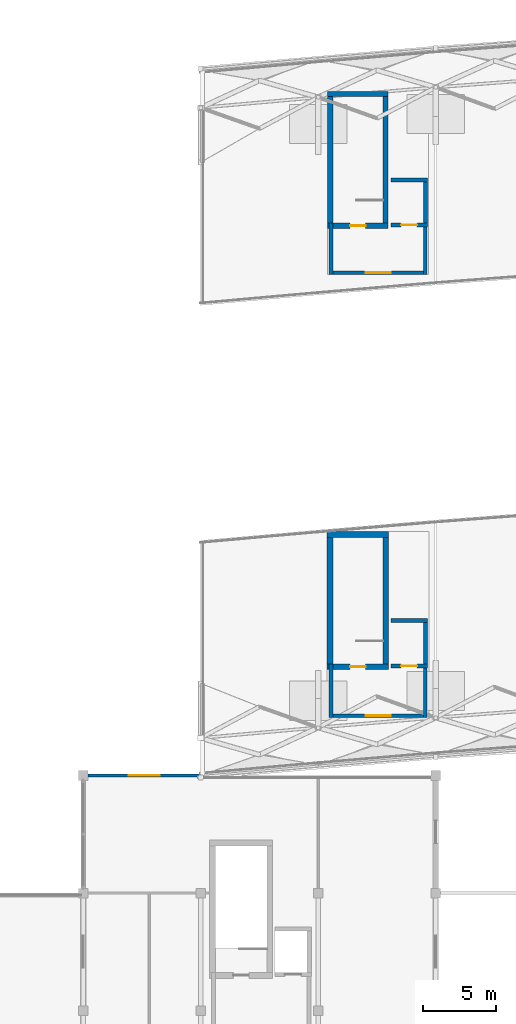
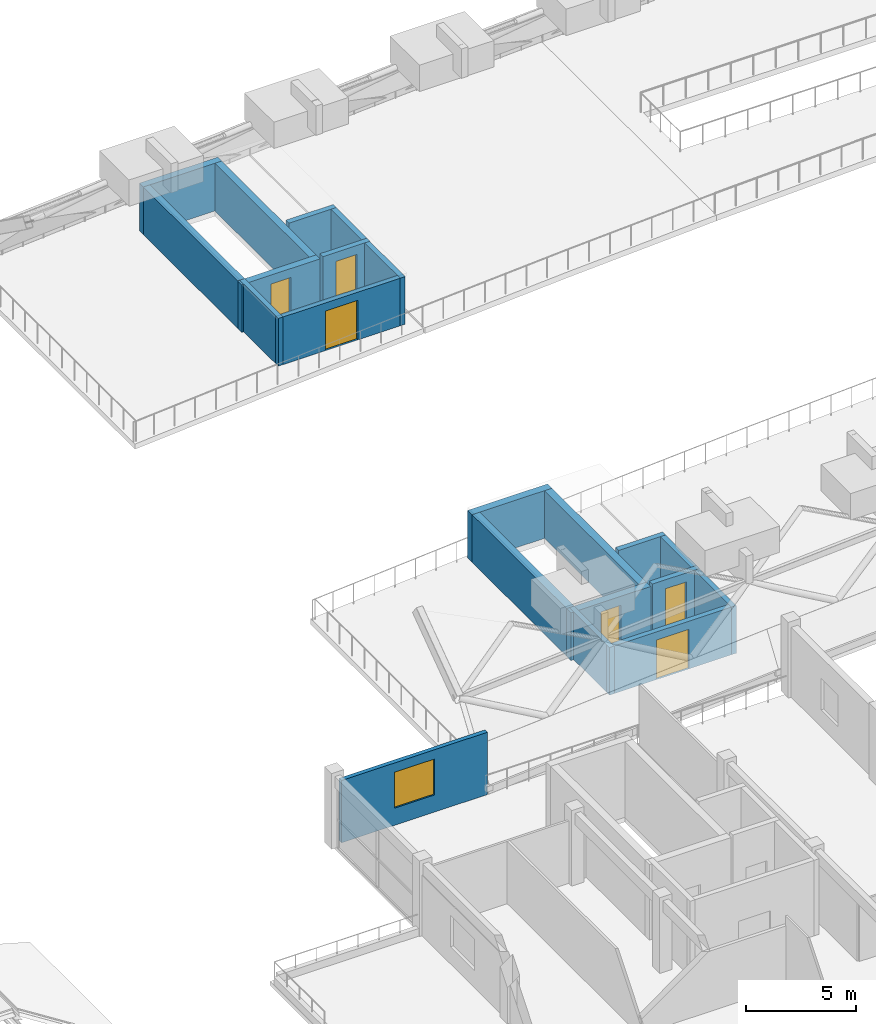
# One storey, part 45 of 67: 21 walls, 6 doors, 1 window, 7 openings.
"""IFC4 building model written with IfcOpenShell, lengths in metres."""

from ifc_helpers import new_model, si_unit, direction, frame, frame_2d, origin, place, context, subcontext, project, spatial, rectangle, extrude, material, layer, layer_set, type_object, element, fill, save


model = new_model("IFC4")

# Units and contexts
model_context = context("Model", 3, precision=1e-05, world=origin(), true_north=direction((0.0, 1.0)))
body_context = subcontext(model_context, "Body", "Model", "MODEL_VIEW")
ifc_project = project(units=[si_unit("LENGTHUNIT", "METRE"), si_unit("AREAUNIT", "SQUARE_METRE"), si_unit("VOLUMEUNIT", "CUBIC_METRE"), si_unit("PLANEANGLEUNIT", "RADIAN"), si_unit("MASSUNIT", "GRAM", prefix="KILO")], contexts=[model_context])

# Site, building, storey
site_placement = place(None, origin())
site = spatial("IfcSite", under=ifc_project, at=site_placement, CompositionType="ELEMENT")
building_placement = place(site_placement, origin())
building = spatial("IfcBuilding", under=site, at=building_placement, Name="Kenh Van Central Station", CompositionType="ELEMENT")
storey_placement = place(building_placement, frame((0.0, 0.0, 10.800048828125)))
storey = spatial("IfcBuildingStorey", under=building, at=storey_placement, Name="L02", CompositionType="ELEMENT", Elevation=10.800048828125)

# Wall, opening, door
ifc_material_1 = material(Name="Concrete C40/50", Category="concrete")
ifc_layer_1 = layer(ifc_material_1, 0.280029296875, Name="Concrete C40/50")
ifc_layer_set_1 = layer_set([ifc_layer_1], Name="Concrete C40/50")
wall_type_1 = type_object("IfcWallType", Name="WL-CORE-280", PredefinedType="SHEAR", material=ifc_layer_set_1)
wall_1_placement = place(storey_placement, frame((44.949951171875, 71.4599609375, 0.0), z_axis=(0.0, 0.0, 1.0), x_axis=(1.0, 0.0, 0.0)))
wall_1 = element("IfcWall", 1, at=wall_1_placement, inside=storey, type_object=wall_type_1, Name="L02 LIFT-PL1 shaft wall S", PredefinedType="SHEAR", context=body_context, shape_type="SweptSolid", body=[
    extrude(rectangle(XDim=2.47998046875, YDim=0.280029296875, at=frame_2d((1.239990234375, 0.0))), origin(), (0.0, 0.0, 1.0), 2.64990234375),
])
opening_1_placement = place(wall_1_placement, frame((0.68994140625, 0.0, 0.0)))
opening_1 = element("IfcOpeningElement", 2, at=opening_1_placement, cuts=wall_1, Name="Opening LD-P1", PredefinedType="OPENING", context=body_context, shape_type="SweptSolid", body=[
    extrude(rectangle(XDim=1.10009765625, YDim=2.14990234375, at=frame_2d((0.550048828125, 1.074951171875))), frame((0.0, 0.14990234375, 0.0), z_axis=(0.0, -1.0, 0.0), x_axis=(1.0, 0.0, 0.0)), (0.0, 0.0, 1.0), 0.300048828125),
])
ifc_material_2 = material(Name="Champagne anodised aluminium", Category="aluminium")
door_type_1 = type_object("IfcDoorType", Name="DR-LIFT-1100x2150", OperationType="SLIDING_TO_LEFT", PredefinedType="DOOR", material=ifc_material_2)
door_1_placement = place(opening_1_placement, origin())
door_1 = element("IfcDoor", 3, at=door_1_placement, inside=storey, type_object=door_type_1, Name="L02 LIFT-PL1 sliding landing door", OperationType="SLIDING_TO_LEFT", OverallHeight=2.14990234375, OverallWidth=1.10009765625, PredefinedType="DOOR", context=body_context, shape_type="SweptSolid", body=[
    extrude(rectangle(XDim=1.10009765625, YDim=2.14990234375, at=frame_2d((0.550048828125, 1.074951171875))), frame((0.0, 0.02490234375, 0.0), z_axis=(0.0, -1.0, 0.0), x_axis=(1.0, 0.0, 0.0)), (0.0, 0.0, 1.0), 0.050048828125),
])
fill(opening_1, door_1)

# Walls
wall_2_placement = place(storey_placement, frame((44.949951171875, 74.5400390625, 0.0), z_axis=(0.0, 0.0, 1.0), x_axis=(1.0, 0.0, 0.0)))
element("IfcWall", 4, at=wall_2_placement, inside=storey, type_object=wall_type_1, Name="L02 LIFT-PL1 shaft wall N", PredefinedType="SHEAR", context=body_context, shape_type="SweptSolid", body=[
    extrude(rectangle(XDim=2.47998046875, YDim=0.280029296875, at=frame_2d((1.239990234375, 0.0))), origin(), (0.0, 0.0, 1.0), 2.64990234375),
])
wall_3_placement = place(storey_placement, frame((47.2900390625, 71.60009765625, 0.0), z_axis=(0.0, 0.0, 1.0), x_axis=(0.0, 1.0, 0.0)))
element("IfcWall", 5, at=wall_3_placement, inside=storey, type_object=wall_type_1, Name="L02 LIFT-PL1 shaft wall E", PredefinedType="SHEAR", context=body_context, shape_type="SweptSolid", body=[
    extrude(rectangle(XDim=2.7998046875, YDim=0.280029296875, at=frame_2d((1.39990234375, 0.0))), origin(), (0.0, 0.0, 1.0), 2.64990234375),
])

# Wall, opening, door
wall_4_placement = place(storey_placement, frame((44.949951171875, 101.4599609375, 0.0), z_axis=(0.0, 0.0, 1.0), x_axis=(1.0, 0.0, 0.0)))
wall_4 = element("IfcWall", 6, at=wall_4_placement, inside=storey, type_object=wall_type_1, Name="L02 LIFT-PL2 shaft wall S", PredefinedType="SHEAR", context=body_context, shape_type="SweptSolid", body=[
    extrude(rectangle(XDim=2.47998046875, YDim=0.280029296875, at=frame_2d((1.239990234375, 0.0))), origin(), (0.0, 0.0, 1.0), 2.64990234375),
])
opening_2_placement = place(wall_4_placement, frame((0.68994140625, 0.0, 0.0)))
opening_2 = element("IfcOpeningElement", 7, at=opening_2_placement, cuts=wall_4, Name="Opening LD-P1", PredefinedType="OPENING", context=body_context, shape_type="SweptSolid", body=[
    extrude(rectangle(XDim=1.10009765625, YDim=2.14990234375, at=frame_2d((0.550048828125, 1.074951171875))), frame((0.0, 0.14990234375, 0.0), z_axis=(0.0, -1.0, 0.0), x_axis=(1.0, 0.0, 0.0)), (0.0, 0.0, 1.0), 0.300048828125),
])
door_2_placement = place(opening_2_placement, origin())
door_2 = element("IfcDoor", 8, at=door_2_placement, inside=storey, type_object=door_type_1, Name="L02 LIFT-PL2 sliding landing door", OperationType="SLIDING_TO_LEFT", OverallHeight=2.14990234375, OverallWidth=1.10009765625, PredefinedType="DOOR", context=body_context, shape_type="SweptSolid", body=[
    extrude(rectangle(XDim=1.10009765625, YDim=2.14990234375, at=frame_2d((0.550048828125, 1.074951171875))), frame((0.0, 0.02490234375, 0.0), z_axis=(0.0, -1.0, 0.0), x_axis=(1.0, 0.0, 0.0)), (0.0, 0.0, 1.0), 0.050048828125),
])
fill(opening_2, door_2)

# Walls
wall_5_placement = place(storey_placement, frame((44.949951171875, 104.5400390625, 0.0), z_axis=(0.0, 0.0, 1.0), x_axis=(1.0, 0.0, 0.0)))
element("IfcWall", 9, at=wall_5_placement, inside=storey, type_object=wall_type_1, Name="L02 LIFT-PL2 shaft wall N", PredefinedType="SHEAR", context=body_context, shape_type="SweptSolid", body=[
    extrude(rectangle(XDim=2.47998046875, YDim=0.280029296875, at=frame_2d((1.239990234375, 0.0))), origin(), (0.0, 0.0, 1.0), 2.64990234375),
])
wall_6_placement = place(storey_placement, frame((47.2900390625, 101.60009765625, 0.0), z_axis=(0.0, 0.0, 1.0), x_axis=(0.0, 1.0, 0.0)))
element("IfcWall", 10, at=wall_6_placement, inside=storey, type_object=wall_type_1, Name="L02 LIFT-PL2 shaft wall E", PredefinedType="SHEAR", context=body_context, shape_type="SweptSolid", body=[
    extrude(rectangle(XDim=2.7998046875, YDim=0.280029296875, at=frame_2d((1.39990234375, 0.0))), origin(), (0.0, 0.0, 1.0), 2.64990234375),
])

# Wall, opening, door
ifc_layer_2 = layer(ifc_material_1, 0.360107421875, Name="Concrete C40/50")
ifc_layer_set_2 = layer_set([ifc_layer_2], Name="Concrete C40/50")
wall_type_2 = type_object("IfcWallType", Name="WL-CORE-360", PredefinedType="SHEAR", material=ifc_layer_set_2)
wall_7_placement = place(storey_placement, frame((40.639892578125, 101.419921875, 0.0), z_axis=(0.0, 0.0, 1.0), x_axis=(1.0, 0.0, 0.0)))
wall_7 = element("IfcWall", 11, at=wall_7_placement, inside=storey, type_object=wall_type_2, Name="L02 CORE-07 stair wall S", PredefinedType="SHEAR", context=body_context, shape_type="SweptSolid", body=[
    extrude(rectangle(XDim=4.1201171875, YDim=0.360107421875, at=frame_2d((2.06005859375, 0.0))), origin(), (0.0, 0.0, 1.0), 2.64990234375),
])
opening_3_placement = place(wall_7_placement, frame((1.534912109375, 0.0, 0.0)))
opening_3 = element("IfcOpeningElement", 12, at=opening_3_placement, cuts=wall_7, Name="Opening D-FD60", PredefinedType="OPENING", context=body_context, shape_type="SweptSolid", body=[
    extrude(rectangle(XDim=1.050048828125, YDim=2.14990234375, at=frame_2d((0.52490234375, 1.074951171875))), frame((0.0, 0.18994140625, 0.0), z_axis=(0.0, -1.0, 0.0), x_axis=(1.0, 0.0, 0.0)), (0.0, 0.0, 1.0), 0.380126953125),
])
door_type_2 = type_object("IfcDoorType", Name="DR-FIRE-1050x2150", OperationType="NOTDEFINED", PredefinedType="DOOR", material=ifc_material_2)
door_3_placement = place(opening_3_placement, origin())
door_3 = element("IfcDoor", 13, at=door_3_placement, inside=storey, type_object=door_type_2, Name="L02 ST-07 stair door", OperationType="SINGLE_SWING_LEFT", OverallHeight=2.14990234375, OverallWidth=1.050048828125, PredefinedType="DOOR", context=body_context, shape_type="SweptSolid", body=[
    extrude(rectangle(XDim=1.050048828125, YDim=2.14990234375, at=frame_2d((0.52490234375, 1.074951171875))), frame((0.0, 0.02490234375, 0.0), z_axis=(0.0, -1.0, 0.0), x_axis=(1.0, 0.0, 0.0)), (0.0, 0.0, 1.0), 0.050048828125),
])
fill(opening_3, door_3)

# Walls
wall_8_placement = place(storey_placement, frame((40.639892578125, 110.3798828125, 0.0), z_axis=(0.0, 0.0, 1.0), x_axis=(1.0, 0.0, 0.0)))
element("IfcWall", 14, at=wall_8_placement, inside=storey, type_object=wall_type_2, Name="L02 CORE-07 stair wall N", PredefinedType="SHEAR", context=body_context, shape_type="SweptSolid", body=[
    extrude(rectangle(XDim=4.1201171875, YDim=0.360107421875, at=frame_2d((2.06005859375, 0.0))), origin(), (0.0, 0.0, 1.0), 2.64990234375),
])
for number, where, z_axis, x_axis, name in (
    (15, (40.820068359375, 101.60009765625, 0.0), (0.0, 0.0, 1.0), (0.0, 1.0, 0.0), "L02 CORE-07 stair wall W"),
    (16, (44.580078125, 101.60009765625, 0.0), (0.0, 0.0, 1.0), (0.0, 1.0, 0.0), "L02 CORE-07 stair wall E"),
):
    element("IfcWall", number, at=place(storey_placement, frame(where, z_axis=z_axis, x_axis=x_axis)), inside=storey, type_object=wall_type_2, Name=name, PredefinedType="SHEAR", context=body_context, shape_type="SweptSolid", body=[
        extrude(rectangle(XDim=8.599853515625, YDim=0.360107421875, at=frame_2d((4.2998046875, 0.0))), origin(), (0.0, 0.0, 1.0), 2.64990234375),
    ])

# Wall, opening, door
ifc_layer_3 = layer(ifc_material_1, 0.39990234375, Name="Concrete C40/50")
ifc_layer_set_3 = layer_set([ifc_layer_3], Name="Concrete C40/50")
wall_type_3 = type_object("IfcWallType", Name="WL-CORE-400", PredefinedType="SHEAR", material=ifc_layer_set_3)
wall_9_placement = place(storey_placement, frame((40.60009765625, 71.39990234375, 0.0), z_axis=(0.0, 0.0, 1.0), x_axis=(1.0, 0.0, 0.0)))
wall_9 = element("IfcWall", 17, at=wall_9_placement, inside=storey, type_object=wall_type_3, Name="L02 CORE-05 stair wall S", PredefinedType="SHEAR", context=body_context, shape_type="SweptSolid", body=[
    extrude(rectangle(XDim=4.199951171875, YDim=0.39990234375, at=frame_2d((2.10009765625, 0.0))), origin(), (0.0, 0.0, 1.0), 2.64990234375),
])
opening_4_placement = place(wall_9_placement, frame((1.574951171875, 0.0, 0.0)))
opening_4 = element("IfcOpeningElement", 18, at=opening_4_placement, cuts=wall_9, Name="Opening D-FD60", PredefinedType="OPENING", context=body_context, shape_type="SweptSolid", body=[
    extrude(rectangle(XDim=1.050048828125, YDim=2.14990234375, at=frame_2d((0.52490234375, 1.074951171875))), frame((0.0, 0.2099609375, 0.0), z_axis=(0.0, -1.0, 0.0), x_axis=(1.0, 0.0, 0.0)), (0.0, 0.0, 1.0), 0.419921875),
])
door_4_placement = place(opening_4_placement, origin())
door_4 = element("IfcDoor", 19, at=door_4_placement, inside=storey, type_object=door_type_2, Name="L02 ST-05 stair door", OperationType="SINGLE_SWING_LEFT", OverallHeight=2.14990234375, OverallWidth=1.050048828125, PredefinedType="DOOR", context=body_context, shape_type="SweptSolid", body=[
    extrude(rectangle(XDim=1.050048828125, YDim=2.14990234375, at=frame_2d((0.52490234375, 1.074951171875))), frame((0.0, 0.02490234375, 0.0), z_axis=(0.0, -1.0, 0.0), x_axis=(1.0, 0.0, 0.0)), (0.0, 0.0, 1.0), 0.050048828125),
])
fill(opening_4, door_4)

# Walls
wall_10_placement = place(storey_placement, frame((40.60009765625, 80.39990234375, 0.0), z_axis=(0.0, 0.0, 1.0), x_axis=(1.0, 0.0, 0.0)))
element("IfcWall", 20, at=wall_10_placement, inside=storey, type_object=wall_type_3, Name="L02 CORE-05 stair wall N", PredefinedType="SHEAR", context=body_context, shape_type="SweptSolid", body=[
    extrude(rectangle(XDim=4.199951171875, YDim=0.39990234375, at=frame_2d((2.10009765625, 0.0))), origin(), (0.0, 0.0, 1.0), 2.64990234375),
])
for number, where, z_axis, x_axis, name in (
    (21, (40.800048828125, 71.60009765625, 0.0), (0.0, 0.0, 1.0), (0.0, 1.0, 0.0), "L02 CORE-05 stair wall W"),
    (22, (44.60009765625, 71.60009765625, 0.0), (0.0, 0.0, 1.0), (0.0, 1.0, 0.0), "L02 CORE-05 stair wall E"),
):
    element("IfcWall", number, at=place(storey_placement, frame(where, z_axis=z_axis, x_axis=x_axis)), inside=storey, type_object=wall_type_3, Name=name, PredefinedType="SHEAR", context=body_context, shape_type="SweptSolid", body=[
        extrude(rectangle(XDim=8.599853515625, YDim=0.39990234375, at=frame_2d((4.2998046875, 0.0))), origin(), (0.0, 0.0, 1.0), 2.64990234375),
    ])

# Wall, opening, door
ifc_layer_4 = layer(ifc_material_1, 0.260009765625, Name="Concrete C40/50")
ifc_layer_set_4 = layer_set([ifc_layer_4], Name="Concrete C40/50")
wall_type_4 = type_object("IfcWallType", Name="WL-FIRE-260", PredefinedType="SHEAR", material=ifc_layer_set_4)
wall_11_placement = place(storey_placement, frame((47.409912109375, 68.070068359375, 0.0), z_axis=(0.0, 0.0, 1.0), x_axis=(-1.0, 0.0, 0.0)))
wall_11 = element("IfcWall", 23, at=wall_11_placement, inside=storey, type_object=wall_type_4, Name="L02 CORE-05 lobby wall S", PredefinedType="SHEAR", context=body_context, shape_type="SweptSolid", body=[
    extrude(rectangle(XDim=6.669921875, YDim=0.260009765625, at=frame_2d((3.3349609375, 0.0))), origin(), (0.0, 0.0, 1.0), 2.64990234375),
])
opening_5_placement = place(wall_11_placement, frame((2.485107421875, 0.0, 0.0)))
opening_5 = element("IfcOpeningElement", 24, at=opening_5_placement, cuts=wall_11, Name="Opening D-FD60D", PredefinedType="OPENING", context=body_context, shape_type="SweptSolid", body=[
    extrude(rectangle(XDim=1.699951171875, YDim=2.199951171875, at=frame_2d((0.85009765625, 1.10009765625))), frame((0.0, 0.139892578125, 0.0), z_axis=(0.0, -1.0, 0.0), x_axis=(1.0, 0.0, 0.0)), (0.0, 0.0, 1.0), 0.280029296875),
])
door_type_3 = type_object("IfcDoorType", Name="DR-FIRE-1700x2200", OperationType="DOUBLE_DOOR_SINGLE_SWING", PredefinedType="DOOR", material=ifc_material_2)
door_5_placement = place(opening_5_placement, origin())
door_5 = element("IfcDoor", 25, at=door_5_placement, inside=storey, type_object=door_type_3, Name="L02 CORE-05 smoke-stop lobby door", OperationType="DOUBLE_DOOR_SINGLE_SWING", OverallHeight=2.199951171875, OverallWidth=1.699951171875, PredefinedType="DOOR", context=body_context, shape_type="SweptSolid", body=[
    extrude(rectangle(XDim=1.699951171875, YDim=2.199951171875, at=frame_2d((0.85009765625, 1.10009765625))), frame((0.0, 0.02490234375, 0.0), z_axis=(0.0, -1.0, 0.0), x_axis=(1.0, 0.0, 0.0)), (0.0, 0.0, 1.0), 0.050048828125),
])
fill(opening_5, door_5)

# Walls
for number, where, z_axis, x_axis, name in (
    (26, (40.8701171875, 67.93994140625, 0.0), (0.0, 0.0, 1.0), (0.0, 1.0, 0.0), "L02 CORE-05 lobby wall W"),
    (27, (47.280029296875, 67.93994140625, 0.0), (0.0, 0.0, 1.0), (0.0, 1.0, 0.0), "L02 CORE-05 lobby wall E"),
):
    element("IfcWall", number, at=place(storey_placement, frame(where, z_axis=z_axis, x_axis=x_axis)), inside=storey, type_object=wall_type_4, Name=name, PredefinedType="SHEAR", context=body_context, shape_type="SweptSolid", body=[
        extrude(rectangle(XDim=3.66015625, YDim=0.260009765625, at=frame_2d((1.830078125, 0.0))), origin(), (0.0, 0.0, 1.0), 2.64990234375),
    ])

# Wall, opening, door
wall_12_placement = place(storey_placement, frame((47.409912109375, 98.219970703125, 0.0), z_axis=(0.0, 0.0, 1.0), x_axis=(-1.0, 0.0, 0.0)))
wall_12 = element("IfcWall", 28, at=wall_12_placement, inside=storey, type_object=wall_type_4, Name="L02 CORE-07 lobby wall S", PredefinedType="SHEAR", context=body_context, shape_type="SweptSolid", body=[
    extrude(rectangle(XDim=6.669921875, YDim=0.260009765625, at=frame_2d((3.3349609375, 0.0))), origin(), (0.0, 0.0, 1.0), 2.64990234375),
])
opening_6_placement = place(wall_12_placement, frame((2.485107421875, 0.0, 0.0)))
opening_6 = element("IfcOpeningElement", 29, at=opening_6_placement, cuts=wall_12, Name="Opening D-FD60D", PredefinedType="OPENING", context=body_context, shape_type="SweptSolid", body=[
    extrude(rectangle(XDim=1.699951171875, YDim=2.199951171875, at=frame_2d((0.85009765625, 1.10009765625))), frame((0.0, 0.139892578125, 0.0), z_axis=(0.0, -1.0, 0.0), x_axis=(1.0, 0.0, 0.0)), (0.0, 0.0, 1.0), 0.280029296875),
])
door_6_placement = place(opening_6_placement, origin())
door_6 = element("IfcDoor", 30, at=door_6_placement, inside=storey, type_object=door_type_3, Name="L02 CORE-07 smoke-stop lobby door", OperationType="DOUBLE_DOOR_SINGLE_SWING", OverallHeight=2.199951171875, OverallWidth=1.699951171875, PredefinedType="DOOR", context=body_context, shape_type="SweptSolid", body=[
    extrude(rectangle(XDim=1.699951171875, YDim=2.199951171875, at=frame_2d((0.85009765625, 1.10009765625))), frame((0.0, 0.02490234375, 0.0), z_axis=(0.0, -1.0, 0.0), x_axis=(1.0, 0.0, 0.0)), (0.0, 0.0, 1.0), 0.050048828125),
])
fill(opening_6, door_6)

# Walls
for number, where, z_axis, x_axis, name in (
    (31, (40.8701171875, 98.090087890625, 0.0), (0.0, 0.0, 1.0), (0.0, 1.0, 0.0), "L02 CORE-07 lobby wall W"),
    (32, (47.280029296875, 98.090087890625, 0.0), (0.0, 0.0, 1.0), (0.0, 1.0, 0.0), "L02 CORE-07 lobby wall E"),
):
    element("IfcWall", number, at=place(storey_placement, frame(where, z_axis=z_axis, x_axis=x_axis)), inside=storey, type_object=wall_type_4, Name=name, PredefinedType="SHEAR", context=body_context, shape_type="SweptSolid", body=[
        extrude(rectangle(XDim=3.510009765625, YDim=0.260009765625, at=frame_2d((1.7548828125, 0.0))), origin(), (0.0, 0.0, 1.0), 2.64990234375),
    ])

# Wall, opening, window
ifc_material_3 = material(Name="Glazed terracotta architectural masonry", Category="masonry")
ifc_layer_5 = layer(ifc_material_3, 0.219970703125, Name="Glazed terracotta architectural masonry")
ifc_layer_set_5 = layer_set([ifc_layer_5], Name="Glazed terracotta architectural masonry")
wall_type_5 = type_object("IfcWallType", Name="WL-SLD-220", PredefinedType="SOLIDWALL", material=ifc_layer_set_5)
wall_13_placement = place(storey_placement, frame((32.0, 64.0, 0.0), z_axis=(0.0, 0.0, 1.0), x_axis=(-1.0, 0.0, 0.0)))
wall_13 = element("IfcWall", 33, at=wall_13_placement, inside=storey, type_object=wall_type_5, Name="L02 exterior wall 078", PredefinedType="SOLIDWALL", context=body_context, shape_type="SweptSolid", body=[
    extrude(rectangle(XDim=7.675048828125, YDim=0.219970703125, at=frame_2d((3.83740234375, 0.0))), origin(), (0.0, 0.0, 1.0), 3.46435546875),
])
opening_7_placement = place(wall_13_placement, frame((2.78759765625, 0.0, 0.949951171875)))
opening_7 = element("IfcOpeningElement", 34, at=opening_7_placement, cuts=wall_13, Name="Opening WN-09", PredefinedType="OPENING", context=body_context, shape_type="SweptSolid", body=[
    extrude(rectangle(XDim=2.10009765625, YDim=2.0, at=frame_2d((1.050048828125, 1.0))), frame((0.0, 0.119873046875, 0.0), z_axis=(0.0, -1.0, 0.0), x_axis=(1.0, 0.0, 0.0)), (0.0, 0.0, 1.0), 0.239990234375),
])
ifc_material_4 = material(Name="Double-glazed low-E laminated solar glass", Category="glass")
window_type = type_object("IfcWindowType", Name="WN-RETL-2100x2000", PartitioningType="DOUBLE_PANEL_VERTICAL", PredefinedType="WINDOW", material=ifc_material_4)
window_placement = place(opening_7_placement, origin())
window = element("IfcWindow", 35, at=window_placement, inside=storey, type_object=window_type, Name="L02 window 048", OverallHeight=2.0, OverallWidth=2.10009765625, PartitioningType="SINGLE_PANEL", PredefinedType="WINDOW", context=body_context, shape_type="SweptSolid", body=[
    extrude(rectangle(XDim=2.10009765625, YDim=2.0, at=frame_2d((1.050048828125, 1.0))), frame((0.0, 0.030029296875, 0.0), z_axis=(0.0, -1.0, 0.0), x_axis=(1.0, 0.0, 0.0)), (0.0, 0.0, 1.0), 0.06005859375),
])
fill(opening_7, window)

save(model, "model.ifc")
